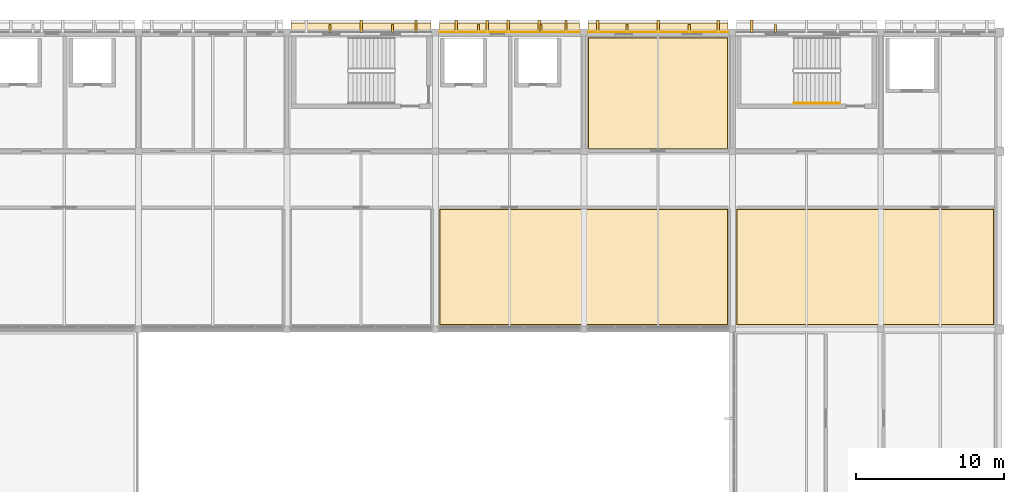
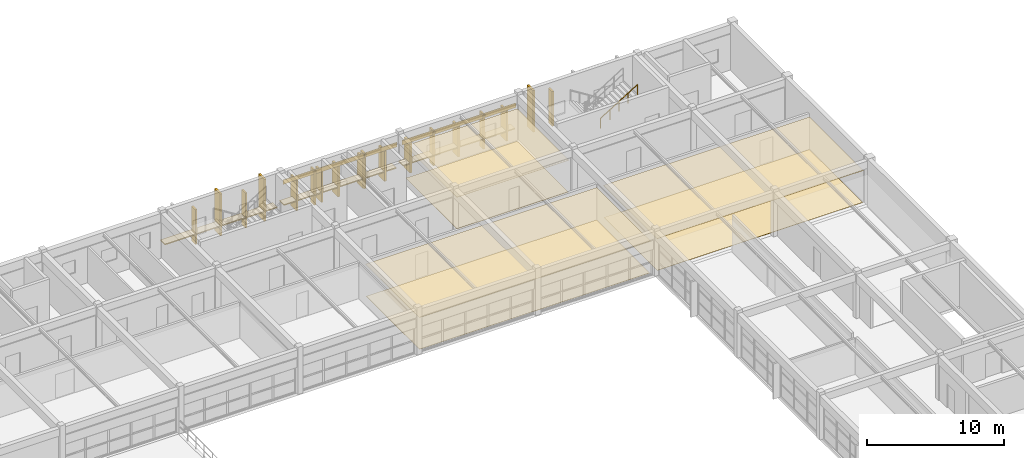
# One storey, part 20 of 21: 22 coverings, 7 shading devices, 1 railing.
"""IFC4 building model written with IfcOpenShell, lengths in metres."""

from ifc_helpers import new_model, si_unit, direction, frame, frame_2d, origin, origin_2d, place, context, subcontext, project, spatial, polyline, rectangle, circle, outline, extrude, material, layer, layer_set, type_object, element, save


model = new_model("IFC4")

# Units and contexts
model_context = context("Model", 3, precision=1e-05, world=origin(), true_north=direction((0.0, 1.0)))
body_context = subcontext(model_context, "Body", "Model", "MODEL_VIEW")
ifc_project = project(units=[si_unit("LENGTHUNIT", "METRE"), si_unit("AREAUNIT", "SQUARE_METRE"), si_unit("VOLUMEUNIT", "CUBIC_METRE"), si_unit("PLANEANGLEUNIT", "RADIAN"), si_unit("MASSUNIT", "GRAM", prefix="KILO")], contexts=[model_context])

# Site, building, storey
site_placement = place(None, origin())
site = spatial("IfcSite", under=ifc_project, at=site_placement, CompositionType="ELEMENT")
building_placement = place(site_placement, origin())
building = spatial("IfcBuilding", under=site, at=building_placement, Name="Kivolera Central Railway Station", CompositionType="ELEMENT")
storey_placement = place(building_placement, frame((0.0, 0.0, 22.800048828125)))
storey = spatial("IfcBuildingStorey", under=building, at=storey_placement, Name="L05", CompositionType="ELEMENT", Elevation=22.800048828125)

# Shading devices
ifc_material_1 = material(Name="Precast concrete C40/50", Category="concrete")
shading_device_type = type_object("IfcShadingDeviceType", Name="BS-FIN-UPP", PredefinedType="USERDEFINED", material=ifc_material_1)
for number, where, z_axis, x_axis, name in (
    (1, (150.89697265625, 134.26708984375, 0.0), (0.0, 0.0, 1.0), (1.0, 0.0, 0.0), "L05 North Brise-Soleil Fin 4.1"),
    (2, (155.10302734375, 134.26708984375, 0.0), (0.0, 0.0, 1.0), (1.0, 0.0, 0.0), "L05 North Brise-Soleil Fin 4.2"),
    (3, (160.89697265625, 134.26708984375, 0.0), (0.0, 0.0, 1.0), (1.0, 0.0, 0.0), "L05 North Brise-Soleil Fin 5.1"),
    (4, (165.10302734375, 134.26708984375, 0.0), (0.0, 0.0, 1.0), (1.0, 0.0, 0.0), "L05 North Brise-Soleil Fin 5.2"),
    (5, (170.89697265625, 134.26708984375, 0.0), (0.0, 0.0, 1.0), (1.0, 0.0, 0.0), "L05 North Brise-Soleil Fin 6.1"),
    (6, (175.10302734375, 134.26708984375, 0.0), (0.0, 0.0, 1.0), (1.0, 0.0, 0.0), "L05 North Brise-Soleil Fin 6.2"),
    (7, (180.89697265625, 134.26708984375, 0.0), (0.0, 0.0, 1.0), (1.0, 0.0, 0.0), "L05 North Brise-Soleil Fin 7.1"),
):
    element("IfcShadingDevice", number, at=place(storey_placement, frame(where, z_axis=z_axis, x_axis=x_axis)), inside=storey, type_object=shading_device_type, Name=name, ObjectType="FIN", PredefinedType="USERDEFINED", context=body_context, shape_type="SweptSolid", body=[
        extrude(rectangle(XDim=0.139892578125, YDim=0.550048828125, at=origin_2d()), origin(), (0.0, 0.0, 1.0), 3.10009765625),
    ])

# Coverings
ifc_material_2 = material(Name="Mineral fibre acoustic tile")
ifc_layer_1 = layer(ifc_material_2, 0.02001953125, Name="Mineral fibre acoustic tile")
ifc_layer_set_1 = layer_set([ifc_layer_1], Name="Mineral fibre acoustic tile")
covering_type_1 = type_object("IfcCoveringType", Name="COV-CEIL-20", PredefinedType="CEILING", material=ifc_layer_set_1)
covering_1_placement = place(storey_placement, frame((0.0, 0.0, 2.849853515625)))
element("IfcCovering", 8, at=covering_1_placement, inside=storey, type_object=covering_type_1, Name="L05 Occupational Health Examination Room Acoustic Ceiling", PredefinedType="CEILING", context=body_context, shape_type="SweptSolid", body=[
    extrude(outline(polyline([(168.280029296875, 126.1298828125), (177.719970703125, 126.1298828125), (177.719970703125, 133.669921875), (168.280029296875, 133.669921875), (168.280029296875, 126.1298828125)])), origin(), (0.0, 0.0, 1.0), 0.02001953125),
])
covering_2_placement = place(storey_placement, frame((0.0, 0.0, 2.849853515625)))
element("IfcCovering", 9, at=covering_2_placement, inside=storey, type_object=covering_type_1, Name="L05 Locomotive Crew Rostering Office Acoustic Ceiling", PredefinedType="CEILING", context=body_context, shape_type="SweptSolid", body=[
    extrude(outline(polyline([(158.280029296875, 114.280029296875), (177.719970703125, 114.280029296875), (177.719970703125, 122.1201171875), (158.280029296875, 122.1201171875), (158.280029296875, 114.280029296875)])), origin(), (0.0, 0.0, 1.0), 0.02001953125),
])
ifc_material_3 = material(Name="Hardwood mvule timber", Category="wood")
ifc_layer_2 = layer(ifc_material_3, 0.02490234375, Name="Hardwood mvule timber")
ifc_layer_set_2 = layer_set([ifc_layer_2], Name="Hardwood mvule timber")
covering_type_2 = type_object("IfcCoveringType", Name="COV-CEIL-25", PredefinedType="CEILING", material=ifc_layer_set_2)
covering_3_placement = place(storey_placement, frame((0.0, 0.0, 2.849853515625)))
element("IfcCovering", 10, at=covering_3_placement, inside=storey, type_object=covering_type_2, Name="L05 Conductors' Shift Briefing Classroom Acoustic Ceiling", PredefinedType="CEILING", context=body_context, shape_type="SweptSolid", body=[
    extrude(outline(polyline([(178.280029296875, 114.280029296875), (195.6201171875, 114.280029296875), (195.6201171875, 122.1201171875), (178.280029296875, 122.1201171875), (178.280029296875, 114.280029296875)])), origin(), (0.0, 0.0, 1.0), 0.025146484375),
])
ifc_layer_3 = layer(ifc_material_1, 0.090087890625, Name="Precast concrete C40/50")
ifc_layer_set_3 = layer_set([ifc_layer_3], Name="Precast concrete C40/50")
covering_type_3 = type_object("IfcCoveringType", Name="COV-CLAUSTRA-90", PredefinedType="CLADDING", material=ifc_layer_set_3)
for number, where, z_axis, x_axis, name in (
    (11, (153.0, 134.31298828125, 0.85498046875), (0.0, 0.0, 1.0), (1.0, 0.0, 0.0), "L05 North Precast Egg-Crate Sill Shelf 4"),
    (12, (163.0, 134.31298828125, 0.85498046875), (0.0, 0.0, 1.0), (1.0, 0.0, 0.0), "L05 North Precast Egg-Crate Sill Shelf 5"),
    (13, (173.0, 134.31298828125, 0.85498046875), (0.0, 0.0, 1.0), (1.0, 0.0, 0.0), "L05 North Precast Egg-Crate Sill Shelf 6"),
):
    element("IfcCovering", number, at=place(storey_placement, frame(where, z_axis=z_axis, x_axis=x_axis)), inside=storey, type_object=covering_type_3, Name=name, PredefinedType="CLADDING", context=body_context, shape_type="SweptSolid", body=[
        extrude(rectangle(XDim=9.43994140625, YDim=0.64990234375, at=origin_2d()), origin(), (0.0, 0.0, 1.0), 0.090087890625),
    ])
ifc_material_4 = material(Name="Swahili coral limestone", Category="masonry")
ifc_layer_4 = layer(ifc_material_4, 0.159912109375, Name="Swahili coral limestone")
ifc_layer_set_4 = layer_set([ifc_layer_4], Name="Swahili coral limestone")
covering_type_4 = type_object("IfcCoveringType", Name="COV-EGGFIN-160", PredefinedType="CLADDING", material=ifc_layer_set_4)
for number, where, z_axis, x_axis, name in (
    (14, (153.0, 134.4130859375, 0.0400390625), (0.0, 0.0, 1.0), (1.0, 0.0, 0.0), "L05 North Afro-Modernist Coral-Stone Sun-Fin 4.2"),
    (15, (156.699951171875, 134.4130859375, 0.0400390625), (0.0, 0.0, 1.0), (1.0, 0.0, 0.0), "L05 North Afro-Modernist Coral-Stone Sun-Fin 4.3"),
):
    element("IfcCovering", number, at=place(storey_placement, frame(where, z_axis=z_axis, x_axis=x_axis)), inside=storey, type_object=covering_type_4, Name=name, PredefinedType="CLADDING", context=body_context, shape_type="SweptSolid", body=[
        extrude(rectangle(XDim=0.159912109375, YDim=0.85009765625, at=origin_2d()), origin(), (0.0, 0.0, 1.0), 3.719970703125),
    ])
for number, where, z_axis, x_axis, name in (
    (16, (159.39990234375, 134.4130859375, 0.0400390625), (0.0, 0.0, 1.0), (1.0, 0.0, 0.0), "L05 North Afro-Modernist Coral-Stone Sun-Fin 5.1"),
    (17, (161.5, 134.4130859375, 0.0400390625), (0.0, 0.0, 1.0), (1.0, 0.0, 0.0), "L05 North Afro-Modernist Coral-Stone Sun-Fin 5.2"),
    (18, (162.89990234375, 134.4130859375, 0.0400390625), (0.0, 0.0, 1.0), (1.0, 0.0, 0.0), "L05 North Afro-Modernist Coral-Stone Sun-Fin 5.3"),
    (19, (165.0, 134.4130859375, 0.0400390625), (0.0, 0.0, 1.0), (1.0, 0.0, 0.0), "L05 North Afro-Modernist Coral-Stone Sun-Fin 5.4"),
    (20, (166.800048828125, 134.4130859375, 0.0400390625), (0.0, 0.0, 1.0), (1.0, 0.0, 0.0), "L05 North Afro-Modernist Coral-Stone Sun-Fin 5.5"),
    (21, (168.949951171875, 134.4130859375, 0.0400390625), (0.0, 0.0, 1.0), (1.0, 0.0, 0.0), "L05 North Afro-Modernist Coral-Stone Sun-Fin 6.1"),
    (22, (173.0, 134.4130859375, 0.0400390625), (0.0, 0.0, 1.0), (1.0, 0.0, 0.0), "L05 North Afro-Modernist Coral-Stone Sun-Fin 6.2"),
    (23, (177.050048828125, 134.4130859375, 0.0400390625), (0.0, 0.0, 1.0), (1.0, 0.0, 0.0), "L05 North Afro-Modernist Coral-Stone Sun-Fin 6.3"),
):
    element("IfcCovering", number, at=place(storey_placement, frame(where, z_axis=z_axis, x_axis=x_axis)), inside=storey, type_object=covering_type_4, Name=name, PredefinedType="CLADDING", context=body_context, shape_type="SweptSolid", body=[
        extrude(rectangle(XDim=0.159912109375, YDim=0.85009765625, at=origin_2d()), origin(), (0.0, 0.0, 1.0), 2.7080078125),
    ])
covering_4_placement = place(storey_placement, frame((179.300048828125, 134.4130859375, 0.0400390625), z_axis=(0.0, 0.0, 1.0), x_axis=(1.0, 0.0, 0.0)))
element("IfcCovering", 24, at=covering_4_placement, inside=storey, type_object=covering_type_4, Name="L05 North Afro-Modernist Coral-Stone Sun-Fin 7.1", PredefinedType="CLADDING", context=body_context, shape_type="SweptSolid", body=[
    extrude(rectangle(XDim=0.159912109375, YDim=0.85009765625, at=origin_2d()), origin(), (0.0, 0.0, 1.0), 3.719970703125),
])
ifc_material_5 = material(Name="Terracotta clay tile", Category="masonry")
ifc_layer_5 = layer(ifc_material_5, 0.02197265625, Name="Terracotta clay tile")
ifc_layer_set_5 = layer_set([ifc_layer_5], Name="Terracotta clay tile")
covering_type_5 = type_object("IfcCoveringType", Name="COV-FLR-22", PredefinedType="FLOORING", material=ifc_layer_set_5)
covering_5_placement = place(storey_placement, origin())
element("IfcCovering", 25, at=covering_5_placement, inside=storey, type_object=covering_type_5, Name="L05 Occupational Health Examination Room Floor Finish", PredefinedType="FLOORING", context=body_context, shape_type="SweptSolid", body=[
    extrude(outline(polyline([(168.320068359375, 126.169921875), (177.679931640625, 126.169921875), (177.679931640625, 133.6298828125), (168.320068359375, 133.6298828125), (168.320068359375, 126.169921875)])), origin(), (0.0, 0.0, 1.0), 0.02197265625),
])
covering_6_placement = place(storey_placement, origin())
element("IfcCovering", 26, at=covering_6_placement, inside=storey, type_object=covering_type_5, Name="L05 Locomotive Crew Rostering Office Floor Finish", PredefinedType="FLOORING", context=body_context, shape_type="SweptSolid", body=[
    extrude(outline(polyline([(158.320068359375, 114.320068359375), (177.679931640625, 114.320068359375), (177.679931640625, 122.080078125), (158.320068359375, 122.080078125), (158.320068359375, 114.320068359375)])), origin(), (0.0, 0.0, 1.0), 0.02197265625),
])
covering_7_placement = place(storey_placement, origin())
element("IfcCovering", 27, at=covering_7_placement, inside=storey, type_object=covering_type_5, Name="L05 Conductors' Shift Briefing Classroom Floor Finish", PredefinedType="FLOORING", context=body_context, shape_type="SweptSolid", body=[
    extrude(outline(polyline([(178.320068359375, 114.320068359375), (195.580078125, 114.320068359375), (195.580078125, 122.080078125), (178.320068359375, 122.080078125), (178.320068359375, 114.320068359375)])), origin(), (0.0, 0.0, 1.0), 0.02197265625),
])
ifc_layer_6 = layer(ifc_material_5, 0.044921875, Name="Terracotta clay tile")
ifc_layer_set_6 = layer_set([ifc_layer_6], Name="Terracotta clay tile")
covering_type_6 = type_object("IfcCoveringType", Name="COV-TERRACOTTA-45", PredefinedType="CLADDING", material=ifc_layer_set_6)
for number, where, z_axis, x_axis, name in (
    (28, (158.219970703125, 134.02001953125, 2.758056640625), (0.0, 0.0, 1.0), (1.0, 0.0, 0.0), "L05 North Terracotta Spandrel 5"),
    (29, (168.219970703125, 134.02001953125, 2.758056640625), (0.0, 0.0, 1.0), (1.0, 0.0, 0.0), "L05 North Terracotta Spandrel 6"),
):
    element("IfcCovering", number, at=place(storey_placement, frame(where, z_axis=z_axis, x_axis=x_axis)), inside=storey, type_object=covering_type_6, Name=name, PredefinedType="CLADDING", context=body_context, shape_type="SweptSolid", body=[
        extrude(rectangle(XDim=9.56005859375, YDim=0.044921875, at=frame_2d((4.780029296875, 0.0))), origin(), (0.0, 0.0, 1.0), 0.39990234375),
    ])

# Railing
ifc_material_6 = material(Name="Anodised aluminium", Category="aluminium")
ifc_layer_7 = layer(ifc_material_6, 0.048095703125, Name="Anodised aluminium")
ifc_layer_set_7 = layer_set([ifc_layer_7], Name="Anodised aluminium")
railing_type = type_object("IfcRailingType", Name="RL-STAIR-HAND", PredefinedType="HANDRAIL", material=ifc_layer_set_7)
railing_placement = place(storey_placement, frame((182.159912109375, 129.22998046875, 2.27490234375)))
element("IfcRailing", 30, at=railing_placement, inside=storey, type_object=railing_type, Name="L05 ST3 stair handrail 2", PredefinedType="HANDRAIL", context=body_context, shape_type="SweptSolid", body=[
    extrude(circle(Radius=0.02392578125, at=origin_2d()), frame((0.0, 0.0, 0.8759765625), z_axis=(0.847998304005, 0.0, 0.529998940003), x_axis=(0.0, 1.0, 0.0)), (0.0, 0.0, 1.0), 3.632080078125),
    extrude(circle(Radius=0.02099609375, at=origin_2d()), origin(), (0.0, 0.0, 1.0), 0.851806640625),
    extrude(circle(Radius=0.02099609375, at=origin_2d()), frame((0.77001953125, 0.0, 0.481201171875)), (0.0, 0.0, 1.0), 0.851806640625),
    extrude(circle(Radius=0.02099609375, at=origin_2d()), frame((1.5400390625, 0.0, 0.96240234375)), (0.0, 0.0, 1.0), 0.851806640625),
    extrude(circle(Radius=0.02099609375, at=origin_2d()), frame((2.31005859375, 0.0, 1.44384765625)), (0.0, 0.0, 1.0), 0.851806640625),
    extrude(circle(Radius=0.02099609375, at=origin_2d()), frame((3.080078125, 0.0, 1.925048828125)), (0.0, 0.0, 1.0), 0.851806640625),
])

save(model, "model.ifc")
